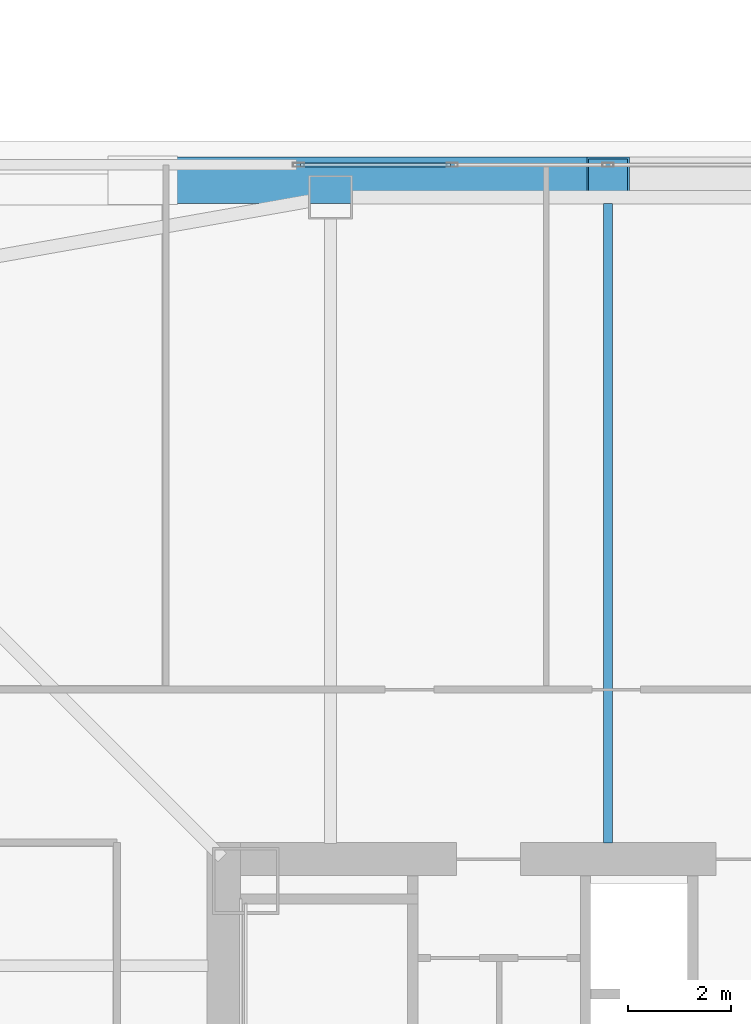
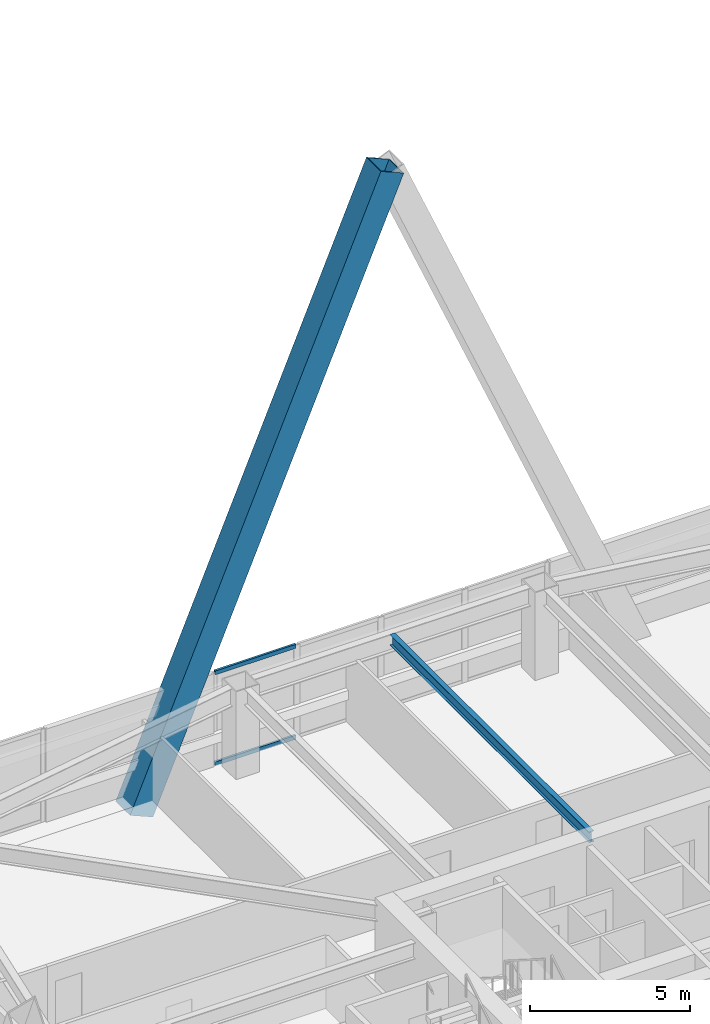
# One storey, part 17 of 54: 3 members, 1 beam, 1 element without a shape of its own.
"""IFC4 building model written with IfcOpenShell, lengths in metres."""

from ifc_helpers import new_model, si_unit, direction, frame, origin, origin_2d, place, context, subcontext, project, spatial, hollow_rectangle, i_section, extrude, material, material_profile, profile_set, type_object, element, aggregate, save


model = new_model("IFC4")

# Units and contexts
model_context = context("Model", 3, precision=1e-05, world=origin(), true_north=direction((0.0, 1.0)))
body_context = subcontext(model_context, "Body", "Model", "MODEL_VIEW")
ifc_project = project(units=[si_unit("LENGTHUNIT", "METRE"), si_unit("AREAUNIT", "SQUARE_METRE"), si_unit("VOLUMEUNIT", "CUBIC_METRE"), si_unit("PLANEANGLEUNIT", "RADIAN"), si_unit("MASSUNIT", "GRAM", prefix="KILO")], contexts=[model_context])

# Site, building, storey
site_placement = place(None, origin())
site = spatial("IfcSite", under=ifc_project, at=site_placement, CompositionType="ELEMENT")
building_placement = place(site_placement, origin())
building = spatial("IfcBuilding", under=site, at=building_placement, Name="Tashvorn Skyway Center", CompositionType="ELEMENT")
storey_placement = place(building_placement, frame((0.0, 0.0, 88.5)))
storey = spatial("IfcBuildingStorey", under=building, at=storey_placement, Name="L23", CompositionType="ELEMENT", Elevation=88.5)

# Beam
ifc_material_1 = material(Name="Steel ASTM A992 Grade 50", Category="steel")
ifc_material_profile_1 = material_profile(ifc_material_1, i_section(OverallWidth=0.177978515625, OverallDepth=0.406005859375, WebThickness=0.0078125, FlangeThickness=0.0126953125, at=origin_2d()), Name="W16X40")
ifc_profile_set_1 = profile_set([ifc_material_profile_1], Name="Steel ASTM A992 Grade 50")
beam_type = type_object("IfcBeamType", Name="BM-JOIST-W16X40", PredefinedType="JOIST", material=ifc_profile_set_1)
beam_placement = place(storey_placement, frame((42.0, 39.7900390625, 3.14697265625), z_axis=(0.0, 1.0, 0.0), x_axis=(-1.0, 0.0, 0.0)))
element("IfcBeam", 1, at=beam_placement, inside=storey, type_object=beam_type, Name="Tower 1 L23 Secondary Composite Joist JN", PredefinedType="JOIST", context=body_context, shape_type="SweptSolid", body=[
    extrude(i_section(OverallWidth=0.177978515625, OverallDepth=0.406005859375, WebThickness=0.0078125, FlangeThickness=0.0126953125, at=origin_2d()), origin(), (0.0, 0.0, 1.0), 12.43994140625),
])

# Curtain wall, members
ifc_material_2 = material(Name="Thermally broken bronze-anodized aluminium 6063-T6", Category="aluminium")
curtain_wall_type = type_object("IfcCurtainWallType", Name="CW-CW-Z2", PredefinedType="NOTDEFINED", material=ifc_material_2)
curtain_wall_placement = place(storey_placement, origin())
curtain_wall = element("IfcCurtainWall", 2, at=curtain_wall_placement, inside=storey, type_object=curtain_wall_type, Name="Tower 1 L23 North Unitised Curtain Wall Glazing Group 2", PredefinedType="NOTDEFINED")
ifc_material_profile_2 = material_profile(ifc_material_2, hollow_rectangle(XDim=0.080078125, YDim=0.14990234375, WallThickness=0.00439453125, at=origin_2d()), Name="ALU-TRAN-80x150")
ifc_profile_set_2 = profile_set([ifc_material_profile_2], Name="Thermally broken bronze-anodized aluminium 6063-T6")
member_type_1 = type_object("IfcMemberType", Name="CWT-CW-Z2", PredefinedType="USERDEFINED", material=ifc_profile_set_2)
member_1_placement = place(storey_placement, frame((36.02001953125, 52.97998046875, 0.0400390625), z_axis=(1.0, 0.0, 0.0), x_axis=(0.0, 1.0, 0.0)))
member_1 = element("IfcMember", 3, at=member_1_placement, type_object=member_type_1, Name="CW-Z2 transom 1.1", ObjectType="TRANSOM", PredefinedType="USERDEFINED", context=body_context, shape_type="SweptSolid", body=[
    extrude(hollow_rectangle(XDim=0.080078125, YDim=0.14990234375, WallThickness=0.00439453125, at=origin_2d()), origin(), (0.0, 0.0, 1.0), 2.909912109375),
])
member_2_placement = place(storey_placement, frame((36.02001953125, 52.97998046875, 3.510009765625), z_axis=(1.0, 0.0, 0.0), x_axis=(0.0, 1.0, 0.0)))
member_2 = element("IfcMember", 4, at=member_2_placement, type_object=member_type_1, Name="CW-Z2 transom 1.2", ObjectType="TRANSOM", PredefinedType="USERDEFINED", context=body_context, shape_type="SweptSolid", body=[
    extrude(hollow_rectangle(XDim=0.080078125, YDim=0.14990234375, WallThickness=0.00439453125, at=origin_2d()), origin(), (0.0, 0.0, 1.0), 2.909912109375),
])
aggregate(curtain_wall, [member_1, member_2])

# Member
ifc_material_3 = material(Name="Steel ASTM A572 Grade 50", Category="steel")
ifc_material_profile_3 = material_profile(ifc_material_3, hollow_rectangle(XDim=0.89990234375, YDim=0.89990234375, WallThickness=0.0400390625, at=origin_2d()), Name="BOX900x900x40")
ifc_profile_set_3 = profile_set([ifc_material_profile_3], Name="Steel ASTM A572 Grade 50")
member_type_2 = type_object("IfcMemberType", Name="MEM-MB-900", PredefinedType="BRACE", material=ifc_profile_set_3)
member_3_placement = place(storey_placement, frame((32.949951171875, 52.679931640625, -0.449951171875), z_axis=(0.389502874724, 0.0, 0.921025249698), x_axis=(0.0, 1.0, 0.0)))
element("IfcMember", 5, at=member_3_placement, inside=storey, type_object=member_type_2, Name="Tower 1 Zone 2 N Chevron Mega-Brace R2", PredefinedType="BRACE", context=body_context, shape_type="SweptSolid", body=[
    extrude(hollow_rectangle(XDim=0.89990234375, YDim=0.89990234375, WallThickness=0.0400390625, at=origin_2d()), origin(), (0.0, 0.0, 1.0), 23.23486328125),
])

save(model, "model.ifc")
